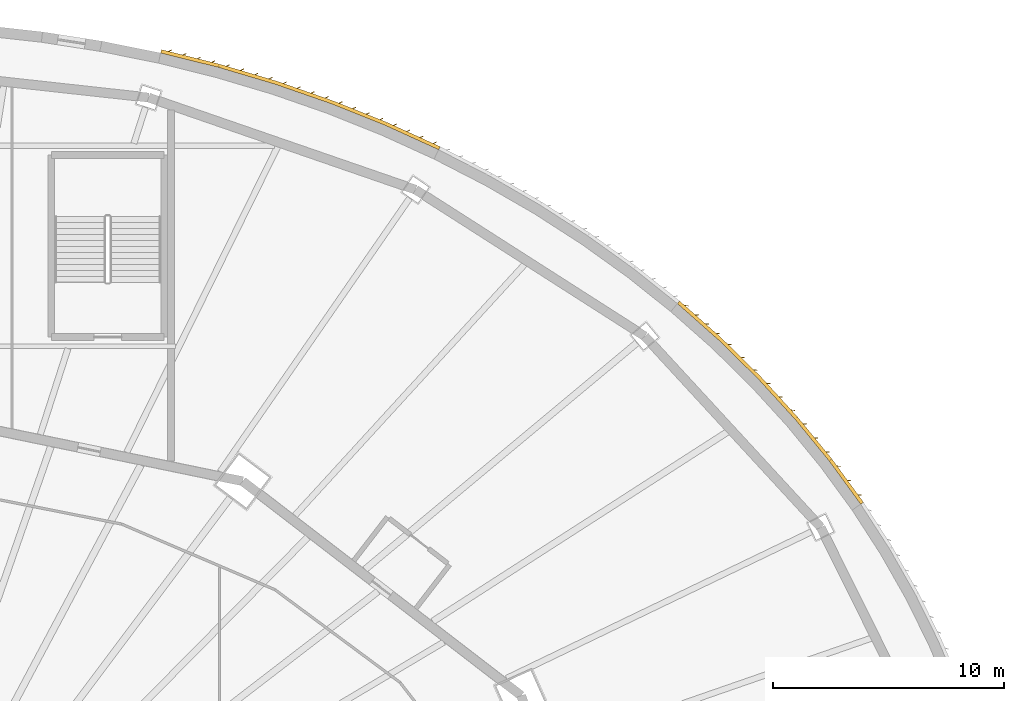
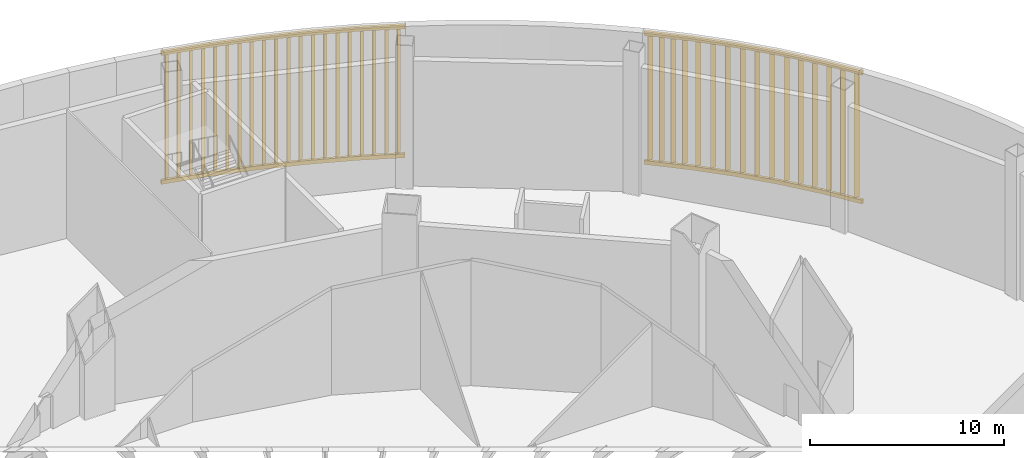
# One storey, part 35 of 35: 2 shading devices.
"""IFC4 building model written with IfcOpenShell, lengths in metres."""

import ifcopenshell
import ifcopenshell.guid

model = None  # the IFC model being written
_history = None  # IfcOwnerHistory: only IFC2X3 demands one
_inside = {}  # id of a spatial element -> (the spatial element, [elements in it])
_under = {}  # id of a project, library or spatial element -> (it, [spatial elements below it])
_declared = {}  # id of a project -> (the project, [libraries it declares])
_typed = {}  # id of a type object -> (the type object, [elements of that type])
_made_of = {}  # id of a material, layer set ... -> (it, [elements and type objects made of it])


def new_model(schema):
    """Start an empty IFC model of exactly this schema.

    Asked for "IFC4X3", IfcOpenShell would pick the latest addendum, in which some entities
    have other attributes; the version numbers below select the first issue.
    IFC2X3 requires an IfcOwnerHistory on every rooted entity: one is made here for all.
    """
    global model, _history
    if schema == "IFC4X3":
        model = ifcopenshell.file(schema_version=(4, 3, 0, 0))
    else:
        model = ifcopenshell.file(schema=schema)
    _inside.clear()
    _under.clear()
    _declared.clear()
    _typed.clear()
    _made_of.clear()
    _history = None
    if model.schema == "IFC2X3":
        org = make("IfcOrganization", Name="unknown")
        user = make(
            "IfcPersonAndOrganization",
            ThePerson=make("IfcPerson", FamilyName="unknown"),
            TheOrganization=org,
        )
        app = make(
            "IfcApplication",
            ApplicationDeveloper=org,
            Version="unknown",
            ApplicationFullName="unknown",
            ApplicationIdentifier="unknown",
        )
        _history = make(
            "IfcOwnerHistory",
            OwningUser=user,
            OwningApplication=app,
            ChangeAction="ADDED",
            CreationDate=0,
        )
    return model


def make(cls, **values):
    """One entity of the class cls with the attributes given. An attribute that is None is left unset."""
    return model.create_entity(
        cls, **{name: value for name, value in values.items() if value is not None}
    )


def rooted(cls, **values):
    """An entity with a GlobalId (a new one), such as an element, a storey or a relation."""
    return make(cls, GlobalId=ifcopenshell.guid.new(), OwnerHistory=_history, **values)


def si_unit(unit_type, name, prefix=None):
    """IfcSIUnit, for example si_unit("LENGTHUNIT", "METRE", prefix="MILLI")."""
    return make("IfcSIUnit", UnitType=unit_type, Prefix=prefix, Name=name)


def assignment(units):
    """IfcUnitAssignment: the units of a project."""
    return None if units is None else make("IfcUnitAssignment", Units=units)


def point(xyz):
    """IfcCartesianPoint."""
    return None if xyz is None else make("IfcCartesianPoint", Coordinates=xyz)


def direction(xyz):
    """IfcDirection."""
    return None if xyz is None else make("IfcDirection", DirectionRatios=xyz)


def frame(location, z_axis=None, x_axis=None):
    """IfcAxis2Placement3D, a coordinate frame: its origin and axes. An axis left out is left unset."""
    return make(
        "IfcAxis2Placement3D",
        Location=point(location),
        Axis=direction(z_axis),
        RefDirection=direction(x_axis),
    )


def frame_2d(location, x_axis=None):
    """IfcAxis2Placement2D, a coordinate frame in the plane: its origin and x axis."""
    return make(
        "IfcAxis2Placement2D", Location=point(location), RefDirection=direction(x_axis)
    )


def origin():
    """The frame at (0, 0, 0) with its axes left unset."""
    return frame((0.0, 0.0, 0.0))


def origin_2d():
    """The frame at (0, 0) in the plane with its x axis left unset."""
    return frame_2d((0.0, 0.0))


def place(relative_to, where):
    """IfcLocalPlacement: puts the frame where relative to a parent placement (None: the world)."""
    return make(
        "IfcLocalPlacement", PlacementRelTo=relative_to, RelativePlacement=where
    )


def context(
    kind, dimensions, precision=None, world=None, true_north=None, identifier=None
):
    """IfcGeometricRepresentationContext, for example the 3D "Model" context."""
    return make(
        "IfcGeometricRepresentationContext",
        ContextIdentifier=identifier,
        ContextType=kind,
        CoordinateSpaceDimension=dimensions,
        Precision=precision,
        WorldCoordinateSystem=world,
        TrueNorth=true_north,
    )


def subcontext(parent, identifier, kind, view, scale=None):
    """IfcGeometricRepresentationSubContext, for example "Body" below "Model"."""
    return make(
        "IfcGeometricRepresentationSubContext",
        ContextIdentifier=identifier,
        ContextType=kind,
        ParentContext=parent,
        TargetScale=scale,
        TargetView=view,
    )


def project(units=None, contexts=None):
    """IfcProject with its units and contexts."""
    return rooted(
        "IfcProject",
        Name="project",
        RepresentationContexts=contexts,
        UnitsInContext=assignment(units),
    )


def spatial(cls, under=None, at=None, **own):
    """A site, building, storey or space (cls), placed at a placement, below another one or the project."""
    s = rooted(cls, ObjectPlacement=at, **own)
    if under is not None:
        _under.setdefault(under.id(), (under, []))[1].append(s)
    return s


def profile(cls, at=None, kind="AREA", **sizes):
    """A parametric profile (cls). Its sizes go by their IFC names, for example OverallWidth=200.0."""
    return make(cls, ProfileType=kind, Position=at, **sizes)


def rectangle(**sizes):
    """IfcRectangleProfileDef."""
    return profile("IfcRectangleProfileDef", **sizes)


def extrude(swept, where, along, depth):
    """IfcExtrudedAreaSolid: the profile swept, set in the frame where, extruded along a direction by depth."""
    return make(
        "IfcExtrudedAreaSolid",
        SweptArea=swept,
        Position=where,
        ExtrudedDirection=direction(along),
        Depth=depth,
    )


def shape(context_of_items, identifier, shape_type, items):
    """IfcShapeRepresentation: the items that make up one representation, for example the "Body"."""
    return make(
        "IfcShapeRepresentation",
        ContextOfItems=context_of_items,
        RepresentationIdentifier=identifier,
        RepresentationType=shape_type,
        Items=items,
    )


def material(Name=None, Category=None):
    """IfcMaterial."""
    return make("IfcMaterial", Name=Name, Category=Category)


def made_of(thing, what):
    """Note that an element or type object is made of a material, layer set ...; save() writes the relation."""
    if what is not None:
        _made_of.setdefault(what.id(), (what, []))[1].append(thing)
    return thing


def type_object(cls, material=None, **own):
    """A type object (cls), such as IfcWallType, which elements share."""
    return made_of(rooted(cls, **own), material)


def element(
    cls,
    number,
    at=None,
    inside=None,
    cuts=None,
    type_object=None,
    material=None,
    context=None,
    identifier="Body",
    shape_type=None,
    held_by="IfcProductDefinitionShape",
    body=None,
    shapes=None,
    **own,
):
    """One element of the class cls, such as IfcWall. Its Tag is "e" and its number.

    at: its placement. inside: the storey or other place that contains it. cuts: it is an
    opening in that element (IfcRelVoidsElement). A single representation is given by context,
    identifier, shape_type and body (its items); several are given by shapes. held_by: the class
    of the entity that holds the representations. save() writes the other relations.
    """
    e = rooted(cls, Tag="e%d" % number, ObjectPlacement=at, **own)
    if body is not None:
        shapes = [shape(context, identifier, shape_type, body)]
    if shapes is not None:
        e.Representation = make(held_by, Representations=shapes)
    if inside is not None:
        _inside.setdefault(inside.id(), (inside, []))[1].append(e)
    if cuts is not None:
        rooted(
            "IfcRelVoidsElement", RelatingBuildingElement=cuts, RelatedOpeningElement=e
        )
    if type_object is not None:
        _typed.setdefault(type_object.id(), (type_object, []))[1].append(e)
    return made_of(e, material)


def aggregate(whole, parts):
    """IfcRelAggregates: a whole, such as a stair, and the parts it consists of."""
    return rooted("IfcRelAggregates", RelatingObject=whole, RelatedObjects=parts)


def save(model, path):
    """Write the relations noted so far, then the file.

    IfcRelAggregates (storeys below a building ...), IfcRelContainedInSpatialStructure (elements
    in a storey), IfcRelDefinesByType, IfcRelAssociatesMaterial and IfcRelDeclares: one each for
    every whole, place, type object, material and project.
    """
    for whole, parts in _under.values():
        aggregate(whole, parts)
    for where, things in _inside.values():
        rooted(
            "IfcRelContainedInSpatialStructure",
            RelatedElements=things,
            RelatingStructure=where,
        )
    for kind, things in _typed.values():
        rooted("IfcRelDefinesByType", RelatedObjects=things, RelatingType=kind)
    for what, things in _made_of.values():
        rooted("IfcRelAssociatesMaterial", RelatedObjects=things, RelatingMaterial=what)
    for by, libraries in _declared.values():
        rooted("IfcRelDeclares", RelatingContext=by, RelatedDefinitions=libraries)
    model.write(path)


model = new_model("IFC4")

# Units and contexts
model_context = context("Model", 3, precision=1e-05, world=origin(), true_north=direction((0.0, 1.0)))
body_context = subcontext(model_context, "Body", "Model", "MODEL_VIEW")
ifc_project = project(units=[si_unit("LENGTHUNIT", "METRE"), si_unit("AREAUNIT", "SQUARE_METRE"), si_unit("VOLUMEUNIT", "CUBIC_METRE"), si_unit("PLANEANGLEUNIT", "RADIAN"), si_unit("MASSUNIT", "GRAM", prefix="KILO")], contexts=[model_context])

# Site, building, storey
site_placement = place(None, origin())
site = spatial("IfcSite", under=ifc_project, at=site_placement, CompositionType="ELEMENT")
building_placement = place(site_placement, origin())
building = spatial("IfcBuilding", under=site, at=building_placement, Name="Sahrelin Media Tower", CompositionType="ELEMENT")
storey_placement = place(building_placement, frame((0.0, 0.0, 17.0)))
storey = spatial("IfcBuildingStorey", under=building, at=storey_placement, Name="L02", CompositionType="ELEMENT", Elevation=17.0)

# Shading devices
ifc_material = material(Name="Champagne anodised aluminium 6063-T6", Category="aluminium")
shading_device_type = type_object("IfcShadingDeviceType", Name="Studio facade screen", PredefinedType="USERDEFINED", material=ifc_material)
shading_device_1_placement = place(storey_placement, frame((43.30126953125, 21.0, 0.0), z_axis=(0.0, 0.0, 1.0), x_axis=(0.674432963717, -0.738336087058, 0.0)))
element("IfcShadingDevice", 1, at=shading_device_1_placement, inside=storey, type_object=shading_device_type, Name="L02:SCREEN:L02-P02", ObjectType="SCREEN", PredefinedType="USERDEFINED", context=body_context, shape_type="SweptSolid", body=[
    extrude(rectangle(XDim=0.14990234375, YDim=0.25, at=origin_2d()), frame((0.00830078125, 0.074462890625, 0.35009765625), z_axis=(-0.993963012616, 0.109715675961, 0.0), x_axis=(-0.109715675961, -0.993963012616, 0.0)), (0.0, 0.0, 1.0), 2.32080078125),
    extrude(rectangle(XDim=0.14990234375, YDim=0.25, at=origin_2d()), frame((0.00830078125, 0.074462890625, 8.449951171875), z_axis=(-0.993963012616, 0.109715675961, 0.0), x_axis=(-0.109715675961, -0.993963012616, 0.0)), (0.0, 0.0, 1.0), 2.32080078125),
    extrude(rectangle(XDim=0.300048828125, YDim=0.0400390625, at=origin_2d()), frame((-0.367919921875, 0.19140625, 0.47509765625), z_axis=(0.0, 0.0, 1.0), x_axis=(0.707106781187, 0.707106781187, 0.0)), (0.0, 0.0, 1.0), 7.849853515625),
    extrude(rectangle(XDim=0.300048828125, YDim=0.0400390625, at=origin_2d()), frame((-1.136962890625, 0.2763671875, 0.47509765625), z_axis=(0.0, 0.0, 1.0), x_axis=(0.707106781187, 0.707106781187, 0.0)), (0.0, 0.0, 1.0), 7.849853515625),
    extrude(rectangle(XDim=0.300048828125, YDim=0.0400390625, at=origin_2d()), frame((-1.90576171875, 0.361083984375, 0.47509765625), z_axis=(0.0, 0.0, 1.0), x_axis=(0.707106781187, 0.707106781187, 0.0)), (0.0, 0.0, 1.0), 7.849853515625),
    extrude(rectangle(XDim=0.14990234375, YDim=0.25, at=origin_2d()), frame((-2.302490234375, 0.32958984375, 0.35009765625), z_axis=(-0.998517872109, 0.054424802051, 0.0), x_axis=(-0.054424802051, -0.998517872109, 0.0)), (0.0, 0.0, 1.0), 2.341552734375),
    extrude(rectangle(XDim=0.14990234375, YDim=0.25, at=origin_2d()), frame((-2.302490234375, 0.32958984375, 8.449951171875), z_axis=(-0.998517872109, 0.054424802051, 0.0), x_axis=(-0.054424802051, -0.998517872109, 0.0)), (0.0, 0.0, 1.0), 2.341552734375),
    extrude(rectangle(XDim=0.300048828125, YDim=0.0400390625, at=origin_2d()), frame((-2.688232421875, 0.425537109375, 0.47509765625), z_axis=(0.0, 0.0, 1.0), x_axis=(0.707106781187, 0.707106781187, 0.0)), (0.0, 0.0, 1.0), 7.849853515625),
    extrude(rectangle(XDim=0.300048828125, YDim=0.0400390625, at=origin_2d()), frame((-3.467529296875, 0.468017578125, 0.47509765625), z_axis=(0.0, 0.0, 1.0), x_axis=(0.707106781187, 0.707106781187, 0.0)), (0.0, 0.0, 1.0), 7.849853515625),
    extrude(rectangle(XDim=0.300048828125, YDim=0.0400390625, at=origin_2d()), frame((-4.246826171875, 0.510498046875, 0.47509765625), z_axis=(0.0, 0.0, 1.0), x_axis=(0.707106781187, 0.707106781187, 0.0)), (0.0, 0.0, 1.0), 7.849853515625),
    extrude(rectangle(XDim=0.14990234375, YDim=0.25, at=origin_2d()), frame((-4.644775390625, 0.45703125, 0.35009765625), z_axis=(-0.999999994661, 0.000103337811, 0.0), x_axis=(-0.000103337811, -0.999999994661, 0.0)), (0.0, 0.0, 1.0), 2.362548828125),
    extrude(rectangle(XDim=0.14990234375, YDim=0.25, at=origin_2d()), frame((-4.644775390625, 0.45703125, 8.449951171875), z_axis=(-0.999999994661, 0.000103337811, 0.0), x_axis=(-0.000103337811, -0.999999994661, 0.0)), (0.0, 0.0, 1.0), 2.362548828125),
    extrude(rectangle(XDim=0.300048828125, YDim=0.0400390625, at=origin_2d()), frame((-5.03857421875, 0.531982421875, 0.47509765625), z_axis=(0.0, 0.0, 1.0), x_axis=(0.707106781187, 0.707106781187, 0.0)), (0.0, 0.0, 1.0), 7.849853515625),
    extrude(rectangle(XDim=0.300048828125, YDim=0.0400390625, at=origin_2d()), frame((-5.826171875, 0.531982421875, 0.47509765625), z_axis=(0.0, 0.0, 1.0), x_axis=(0.707106781187, 0.707106781187, 0.0)), (0.0, 0.0, 1.0), 7.849853515625),
    extrude(rectangle(XDim=0.300048828125, YDim=0.0400390625, at=origin_2d()), frame((-6.61376953125, 0.5322265625, 0.47509765625), z_axis=(0.0, 0.0, 1.0), x_axis=(0.707106781187, 0.707106781187, 0.0)), (0.0, 0.0, 1.0), 7.849853515625),
    extrude(rectangle(XDim=0.14990234375, YDim=0.25, at=origin_2d()), frame((-7.011474609375, 0.45703125, 0.35009765625), z_axis=(-0.998570768026, -0.053445497889, 0.0), x_axis=(0.053445497889, -0.998570768026, 0.0)), (0.0, 0.0, 1.0), 2.384521484375),
    extrude(rectangle(XDim=0.14990234375, YDim=0.25, at=origin_2d()), frame((-7.011474609375, 0.45703125, 8.449951171875), z_axis=(-0.998570768026, -0.053445497889, 0.0), x_axis=(0.053445497889, -0.998570768026, 0.0)), (0.0, 0.0, 1.0), 2.384521484375),
    extrude(rectangle(XDim=0.300048828125, YDim=0.0400390625, at=origin_2d()), frame((-7.412353515625, 0.5107421875, 0.47509765625), z_axis=(0.0, 0.0, 1.0), x_axis=(0.707106781187, 0.707106781187, 0.0)), (0.0, 0.0, 1.0), 7.849853515625),
    extrude(rectangle(XDim=0.300048828125, YDim=0.0400390625, at=origin_2d()), frame((-8.2060546875, 0.46826171875, 0.47509765625), z_axis=(0.0, 0.0, 1.0), x_axis=(0.707106781187, 0.707106781187, 0.0)), (0.0, 0.0, 1.0), 7.849853515625),
    extrude(rectangle(XDim=0.300048828125, YDim=0.0400390625, at=origin_2d()), frame((-8.999755859375, 0.42578125, 0.47509765625), z_axis=(0.0, 0.0, 1.0), x_axis=(0.707106781187, 0.707106781187, 0.0)), (0.0, 0.0, 1.0), 7.849853515625),
    extrude(rectangle(XDim=0.14990234375, YDim=0.25, at=origin_2d()), frame((-9.396484375, 0.3291015625, 0.35009765625), z_axis=(-0.994395950407, -0.105719883718, 0.0), x_axis=(0.105719883718, -0.994395950407, 0.0)), (0.0, 0.0, 1.0), 2.40625),
    extrude(rectangle(XDim=0.14990234375, YDim=0.25, at=origin_2d()), frame((-9.396484375, 0.3291015625, 8.449951171875), z_axis=(-0.994395950407, -0.105719883718, 0.0), x_axis=(0.105719883718, -0.994395950407, 0.0)), (0.0, 0.0, 1.0), 2.40625),
    extrude(rectangle(XDim=0.300048828125, YDim=0.0400390625, at=origin_2d()), frame((-9.70361328125, 0.3720703125, 0.47509765625), z_axis=(0.0, 0.0, 1.0), x_axis=(0.707106781187, 0.707106781187, 0.0)), (0.0, 0.0, 1.0), 7.849853515625),
    extrude(rectangle(XDim=0.300048828125, YDim=0.0400390625, at=origin_2d()), frame((-10.3017578125, 0.308349609375, 0.47509765625), z_axis=(0.0, 0.0, 1.0), x_axis=(0.707106781187, 0.707106781187, 0.0)), (0.0, 0.0, 1.0), 7.849853515625),
    extrude(rectangle(XDim=0.300048828125, YDim=0.0400390625, at=origin_2d()), frame((-10.89990234375, 0.24462890625, 0.47509765625), z_axis=(0.0, 0.0, 1.0), x_axis=(0.707106781187, 0.707106781187, 0.0)), (0.0, 0.0, 1.0), 7.849853515625),
    extrude(rectangle(XDim=0.300048828125, YDim=0.0400390625, at=origin_2d()), frame((-11.498291015625, 0.180908203125, 0.47509765625), z_axis=(0.0, 0.0, 1.0), x_axis=(0.707106781187, 0.707106781187, 0.0)), (0.0, 0.0, 1.0), 7.849853515625),
])
shading_device_2_placement = place(storey_placement, frame((25.0, 36.373046875, 0.0), z_axis=(0.0, 0.0, 1.0), x_axis=(0.944472511528, -0.328590436515, 0.0)))
element("IfcShadingDevice", 2, at=shading_device_2_placement, inside=storey, type_object=shading_device_type, Name="L02:SCREEN:L02-P04", ObjectType="SCREEN", PredefinedType="USERDEFINED", context=body_context, shape_type="SweptSolid", body=[
    extrude(rectangle(XDim=0.14990234375, YDim=0.25, at=origin_2d()), frame((0.007080078125, 0.07470703125, 0.35009765625), z_axis=(-0.995676744861, 0.092886057851, 0.0), x_axis=(-0.092886057851, -0.995676744861, 0.0)), (0.0, 0.0, 1.0), 2.528564453125),
    extrude(rectangle(XDim=0.14990234375, YDim=0.25, at=origin_2d()), frame((0.007080078125, 0.07470703125, 8.449951171875), z_axis=(-0.995676744861, 0.092886057851, 0.0), x_axis=(-0.092886057851, -0.995676744861, 0.0)), (0.0, 0.0, 1.0), 2.528564453125),
    extrude(rectangle(XDim=0.300048828125, YDim=0.0400390625, at=origin_2d()), frame((-0.30078125, 0.1787109375, 0.47509765625), z_axis=(0.0, 0.0, 1.0), x_axis=(0.707106781187, 0.707106781187, 0.0)), (0.0, 0.0, 1.0), 7.849853515625),
    extrude(rectangle(XDim=0.300048828125, YDim=0.0400390625, at=origin_2d()), frame((-0.93017578125, 0.237548828125, 0.47509765625), z_axis=(0.0, 0.0, 1.0), x_axis=(0.707106781187, 0.707106781187, 0.0)), (0.0, 0.0, 1.0), 7.849853515625),
    extrude(rectangle(XDim=0.300048828125, YDim=0.0400390625, at=origin_2d()), frame((-1.5595703125, 0.296142578125, 0.47509765625), z_axis=(0.0, 0.0, 1.0), x_axis=(0.707106781187, 0.707106781187, 0.0)), (0.0, 0.0, 1.0), 7.849853515625),
    extrude(rectangle(XDim=0.300048828125, YDim=0.0400390625, at=origin_2d()), frame((-2.18896484375, 0.35498046875, 0.47509765625), z_axis=(0.0, 0.0, 1.0), x_axis=(0.707106781187, 0.707106781187, 0.0)), (0.0, 0.0, 1.0), 7.849853515625),
    extrude(rectangle(XDim=0.14990234375, YDim=0.25, at=origin_2d()), frame((-2.51416015625, 0.309814453125, 0.35009765625), z_axis=(-0.998930620484, 0.046234353666, 0.0), x_axis=(-0.046234353666, -0.998930620484, 0.0)), (0.0, 0.0, 1.0), 2.545166015625),
    extrude(rectangle(XDim=0.14990234375, YDim=0.25, at=origin_2d()), frame((-2.51416015625, 0.309814453125, 8.449951171875), z_axis=(-0.998930620484, 0.046234353666, 0.0), x_axis=(-0.046234353666, -0.998930620484, 0.0)), (0.0, 0.0, 1.0), 2.545166015625),
    extrude(rectangle(XDim=0.300048828125, YDim=0.0400390625, at=origin_2d()), frame((-2.828369140625, 0.3994140625, 0.47509765625), z_axis=(0.0, 0.0, 1.0), x_axis=(0.707106781187, 0.707106781187, 0.0)), (0.0, 0.0, 1.0), 7.849853515625),
    extrude(rectangle(XDim=0.300048828125, YDim=0.0400390625, at=origin_2d()), frame((-3.464111328125, 0.428955078125, 0.47509765625), z_axis=(0.0, 0.0, 1.0), x_axis=(0.707106781187, 0.707106781187, 0.0)), (0.0, 0.0, 1.0), 7.849853515625),
    extrude(rectangle(XDim=0.300048828125, YDim=0.0400390625, at=origin_2d()), frame((-4.099609375, 0.458251953125, 0.47509765625), z_axis=(0.0, 0.0, 1.0), x_axis=(0.707106781187, 0.707106781187, 0.0)), (0.0, 0.0, 1.0), 7.849853515625),
    extrude(rectangle(XDim=0.300048828125, YDim=0.0400390625, at=origin_2d()), frame((-4.7353515625, 0.48779296875, 0.47509765625), z_axis=(0.0, 0.0, 1.0), x_axis=(0.707106781187, 0.707106781187, 0.0)), (0.0, 0.0, 1.0), 7.849853515625),
    extrude(rectangle(XDim=0.14990234375, YDim=0.25, at=origin_2d()), frame((-5.06005859375, 0.427490234375, 0.35009765625), z_axis=(-1.0, 0.0, 0.0), x_axis=(0.0, -1.0, 0.0)), (0.0, 0.0, 1.0), 2.560546875),
    extrude(rectangle(XDim=0.14990234375, YDim=0.25, at=origin_2d()), frame((-5.06005859375, 0.427490234375, 8.449951171875), z_axis=(-1.0, 0.0, 0.0), x_axis=(0.0, -1.0, 0.0)), (0.0, 0.0, 1.0), 2.560546875),
    extrude(rectangle(XDim=0.300048828125, YDim=0.0400390625, at=origin_2d()), frame((-5.380126953125, 0.502685546875, 0.47509765625), z_axis=(0.0, 0.0, 1.0), x_axis=(0.707106781187, 0.707106781187, 0.0)), (0.0, 0.0, 1.0), 7.849853515625),
    extrude(rectangle(XDim=0.300048828125, YDim=0.0400390625, at=origin_2d()), frame((-6.020263671875, 0.502685546875, 0.47509765625), z_axis=(0.0, 0.0, 1.0), x_axis=(0.707106781187, 0.707106781187, 0.0)), (0.0, 0.0, 1.0), 7.849853515625),
    extrude(rectangle(XDim=0.300048828125, YDim=0.0400390625, at=origin_2d()), frame((-6.660400390625, 0.502685546875, 0.47509765625), z_axis=(0.0, 0.0, 1.0), x_axis=(0.707106781187, 0.707106781187, 0.0)), (0.0, 0.0, 1.0), 7.849853515625),
    extrude(rectangle(XDim=0.300048828125, YDim=0.0400390625, at=origin_2d()), frame((-7.300537109375, 0.502685546875, 0.47509765625), z_axis=(0.0, 0.0, 1.0), x_axis=(0.707106781187, 0.707106781187, 0.0)), (0.0, 0.0, 1.0), 7.849853515625),
    extrude(rectangle(XDim=0.14990234375, YDim=0.25, at=origin_2d()), frame((-7.6240234375, 0.427490234375, 0.35009765625), z_axis=(-0.998954807811, -0.045708773245, 0.0), x_axis=(0.045708773245, -0.998954807811, 0.0)), (0.0, 0.0, 1.0), 2.574462890625),
    extrude(rectangle(XDim=0.14990234375, YDim=0.25, at=origin_2d()), frame((-7.6240234375, 0.427490234375, 8.449951171875), z_axis=(-0.998954807811, -0.045708773245, 0.0), x_axis=(0.045708773245, -0.998954807811, 0.0)), (0.0, 0.0, 1.0), 2.574462890625),
    extrude(rectangle(XDim=0.300048828125, YDim=0.0400390625, at=origin_2d()), frame((-7.948974609375, 0.48779296875, 0.47509765625), z_axis=(0.0, 0.0, 1.0), x_axis=(0.707106781187, 0.707106781187, 0.0)), (0.0, 0.0, 1.0), 7.849853515625),
    extrude(rectangle(XDim=0.300048828125, YDim=0.0400390625, at=origin_2d()), frame((-8.592041015625, 0.458251953125, 0.47509765625), z_axis=(0.0, 0.0, 1.0), x_axis=(0.707106781187, 0.707106781187, 0.0)), (0.0, 0.0, 1.0), 7.849853515625),
    extrude(rectangle(XDim=0.300048828125, YDim=0.0400390625, at=origin_2d()), frame((-9.23486328125, 0.428955078125, 0.47509765625), z_axis=(0.0, 0.0, 1.0), x_axis=(0.707106781187, 0.707106781187, 0.0)), (0.0, 0.0, 1.0), 7.849853515625),
    extrude(rectangle(XDim=0.300048828125, YDim=0.0400390625, at=origin_2d()), frame((-9.877685546875, 0.3994140625, 0.47509765625), z_axis=(0.0, 0.0, 1.0), x_axis=(0.707106781187, 0.707106781187, 0.0)), (0.0, 0.0, 1.0), 7.849853515625),
    extrude(rectangle(XDim=0.14990234375, YDim=0.25, at=origin_2d()), frame((-10.19921875, 0.3095703125, 0.35009765625), z_axis=(-0.995868409854, -0.090808095761, 0.0), x_axis=(0.090808095761, -0.995868409854, 0.0)), (0.0, 0.0, 1.0), 2.58642578125),
    extrude(rectangle(XDim=0.14990234375, YDim=0.25, at=origin_2d()), frame((-10.19921875, 0.3095703125, 8.449951171875), z_axis=(-0.995868409854, -0.090808095761, 0.0), x_axis=(0.090808095761, -0.995868409854, 0.0)), (0.0, 0.0, 1.0), 2.58642578125),
    extrude(rectangle(XDim=0.300048828125, YDim=0.0400390625, at=origin_2d()), frame((-10.528076171875, 0.35498046875, 0.47509765625), z_axis=(0.0, 0.0, 1.0), x_axis=(0.707106781187, 0.707106781187, 0.0)), (0.0, 0.0, 1.0), 7.849853515625),
    extrude(rectangle(XDim=0.300048828125, YDim=0.0400390625, at=origin_2d()), frame((-11.171875, 0.296142578125, 0.47509765625), z_axis=(0.0, 0.0, 1.0), x_axis=(0.707106781187, 0.707106781187, 0.0)), (0.0, 0.0, 1.0), 7.849853515625),
    extrude(rectangle(XDim=0.300048828125, YDim=0.0400390625, at=origin_2d()), frame((-11.81591796875, 0.237548828125, 0.47509765625), z_axis=(0.0, 0.0, 1.0), x_axis=(0.707106781187, 0.707106781187, 0.0)), (0.0, 0.0, 1.0), 7.849853515625),
    extrude(rectangle(XDim=0.300048828125, YDim=0.0400390625, at=origin_2d()), frame((-12.459716796875, 0.1787109375, 0.47509765625), z_axis=(0.0, 0.0, 1.0), x_axis=(0.707106781187, 0.707106781187, 0.0)), (0.0, 0.0, 1.0), 7.849853515625),
])

save(model, "model.ifc")
